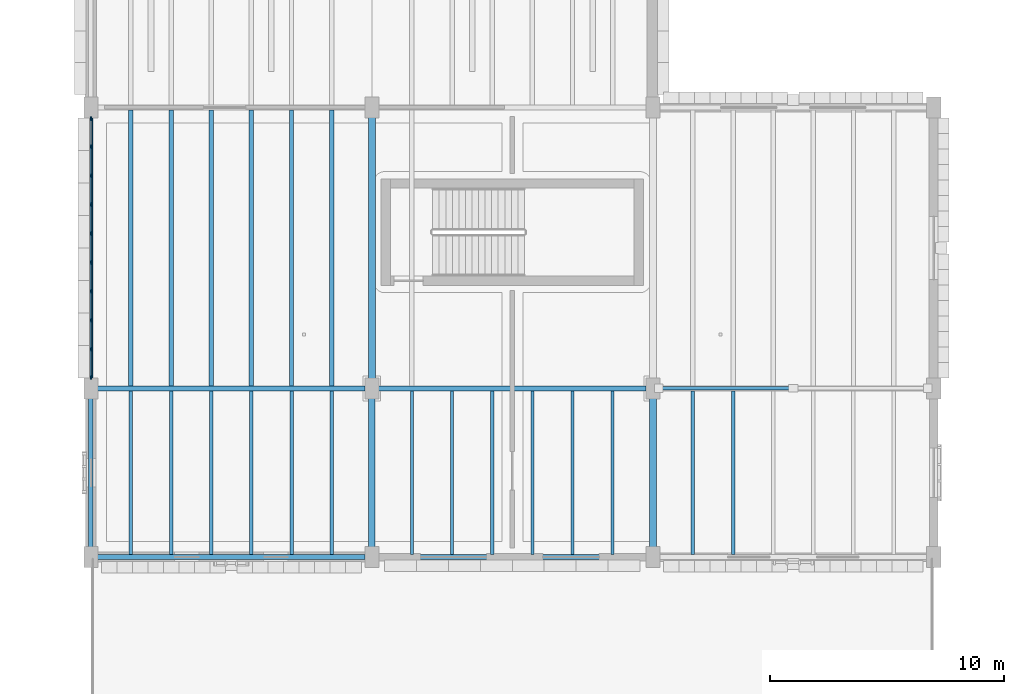
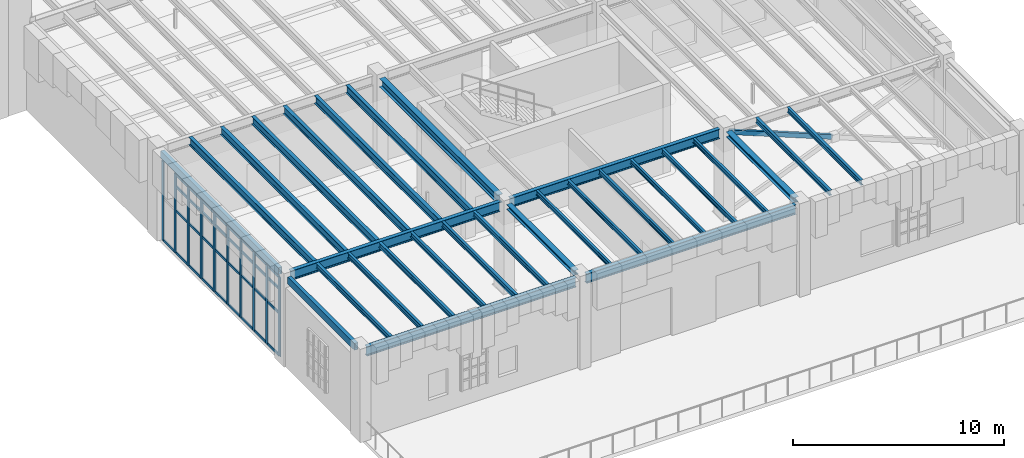
# One storey, part 14 of 103: 44 members, 29 beams, 1 element without a shape of its own.
"""IFC4 building model written with IfcOpenShell, lengths in metres."""

from ifc_helpers import new_model, si_unit, direction, frame, origin, origin_2d, place, context, subcontext, project, spatial, rectangle, hollow_rectangle, i_section, extrude, material, layer, layer_set, material_profile, profile_set, type_object, element, aggregate, save


model = new_model("IFC4")

# Units and contexts
model_context = context("Model", 3, precision=1e-05, world=origin(), true_north=direction((0.0, 1.0)))
body_context = subcontext(model_context, "Body", "Model", "MODEL_VIEW")
ifc_project = project(units=[si_unit("LENGTHUNIT", "METRE"), si_unit("AREAUNIT", "SQUARE_METRE"), si_unit("VOLUMEUNIT", "CUBIC_METRE"), si_unit("PLANEANGLEUNIT", "RADIAN"), si_unit("MASSUNIT", "GRAM", prefix="KILO")], contexts=[model_context])

# Site, building, storey
site_placement = place(None, origin())
site = spatial("IfcSite", under=ifc_project, at=site_placement, CompositionType="ELEMENT")
building_placement = place(site_placement, origin())
building = spatial("IfcBuilding", under=site, at=building_placement, Name="Zlatogorsky Bluff Art Gallery", CompositionType="ELEMENT")
storey_placement = place(building_placement, origin())
storey = spatial("IfcBuildingStorey", under=building, at=storey_placement, Name="L00", CompositionType="ELEMENT", Elevation=0.0)

# Beams
ifc_material_1 = material(Name="Steel S355", Category="steel")
ifc_material_profile_1 = material_profile(ifc_material_1, i_section(OverallWidth=0.300048828125, OverallDepth=0.489990234375, WebThickness=0.011962890625, FlangeThickness=0.02294921875, FilletRadius=0.027099609375, at=origin_2d()), Name="HEA 500")
ifc_profile_set_1 = profile_set([ifc_material_profile_1], Name="Steel S355")
beam_type_1 = type_object("IfcBeamType", Name="Beam BM-07 HEA 500", PredefinedType="BEAM", material=ifc_profile_set_1)
beam_1_placement = place(storey_placement, frame((12.0, 14.830078125, 4.89501953125), z_axis=(0.0, 1.0, 0.0), x_axis=(-1.0, 0.0, 0.0)))
element("IfcBeam", 1, at=beam_1_placement, inside=storey, type_object=beam_type_1, Name="Primary girder BM-07 L00 B/3-4", PredefinedType="BEAM", context=body_context, shape_type="SweptSolid", body=[
    extrude(i_section(OverallWidth=0.300048828125, OverallDepth=0.489990234375, WebThickness=0.011962890625, FlangeThickness=0.02294921875, FilletRadius=0.027099609375, at=origin_2d()), origin(), (0.0, 0.0, 1.0), 11.139892578125),
])
ifc_material_profile_2 = material_profile(ifc_material_1, i_section(OverallWidth=0.300048828125, OverallDepth=0.2900390625, WebThickness=0.008544921875, FlangeThickness=0.013916015625, FilletRadius=0.027099609375, at=origin_2d()), Name="HEA 300")
ifc_profile_set_2 = profile_set([ifc_material_profile_2], Name="Steel S355")
beam_type_2 = type_object("IfcBeamType", Name="Beam BM-11 HEA 300", PredefinedType="BEAM", material=ifc_profile_set_2)
beam_2_placement = place(storey_placement, frame((24.0, 7.6298828125, 4.9951171875), z_axis=(0.0, 1.0, 0.0), x_axis=(-1.0, 0.0, 0.0)))
element("IfcBeam", 2, at=beam_2_placement, inside=storey, type_object=beam_type_2, Name="Primary girder BM-11 L00 C/2-3", PredefinedType="BEAM", context=body_context, shape_type="SweptSolid", body=[
    extrude(i_section(OverallWidth=0.300048828125, OverallDepth=0.2900390625, WebThickness=0.008544921875, FlangeThickness=0.013916015625, FilletRadius=0.027099609375, at=origin_2d()), origin(), (0.0, 0.0, 1.0), 6.340087890625),
])
ifc_material_profile_3 = material_profile(ifc_material_1, i_section(OverallWidth=0.280029296875, OverallDepth=0.27001953125, WebThickness=0.008056640625, FlangeThickness=0.012939453125, FilletRadius=0.02392578125, at=origin_2d()), Name="HEA 280")
ifc_profile_set_3 = profile_set([ifc_material_profile_3], Name="Steel S355")
beam_type_3 = type_object("IfcBeamType", Name="Beam BM-12 HEA 280", PredefinedType="BEAM", material=ifc_profile_set_3)
beam_3_placement = place(storey_placement, frame((12.0, 7.6298828125, 5.0048828125), z_axis=(0.0, 1.0, 0.0), x_axis=(-1.0, 0.0, 0.0)))
element("IfcBeam", 3, at=beam_3_placement, inside=storey, type_object=beam_type_3, Name="Primary girder BM-12 L00 B/2-3", PredefinedType="BEAM", context=body_context, shape_type="SweptSolid", body=[
    extrude(i_section(OverallWidth=0.280029296875, OverallDepth=0.27001953125, WebThickness=0.008056640625, FlangeThickness=0.012939453125, FilletRadius=0.02392578125, at=origin_2d()), origin(), (0.0, 0.0, 1.0), 6.340087890625),
])
ifc_material_profile_4 = material_profile(ifc_material_1, i_section(OverallWidth=0.2099609375, OverallDepth=0.550048828125, WebThickness=0.010986328125, FlangeThickness=0.01708984375, FilletRadius=0.02392578125, at=origin_2d()), Name="IPE 550")
ifc_profile_set_4 = profile_set([ifc_material_profile_4], Name="Steel S355")
beam_type_4 = type_object("IfcBeamType", Name="Beam BM-14 IPE 550", PredefinedType="BEAM", material=ifc_profile_set_4)
for number, where, z_axis, x_axis, name in (
    (4, (0.280029296875, 7.199951171875, 4.864990234375), (1.0, 0.0, 0.0), (0.0, 1.0, 0.0), "Primary girder BM-14 L00 A-B/2"),
    (5, (0.280029296875, 14.39990234375, 4.864990234375), (1.0, 0.0, 0.0), (0.0, 1.0, 0.0), "Primary girder BM-14 L00 A-B/3"),
    (6, (12.280029296875, 7.199951171875, 4.864990234375), (1.0, 0.0, 0.0), (0.0, 1.0, 0.0), "Primary girder BM-14 L00 B-C/2"),
    (7, (12.280029296875, 14.39990234375, 4.864990234375), (1.0, 0.0, 0.0), (0.0, 1.0, 0.0), "Primary girder BM-14 L00 B-C/3"),
):
    element("IfcBeam", number, at=place(storey_placement, frame(where, z_axis=z_axis, x_axis=x_axis)), inside=storey, type_object=beam_type_4, Name=name, PredefinedType="BEAM", context=body_context, shape_type="SweptSolid", body=[
        extrude(i_section(OverallWidth=0.2099609375, OverallDepth=0.550048828125, WebThickness=0.010986328125, FlangeThickness=0.01708984375, FilletRadius=0.02392578125, at=origin_2d()), origin(), (0.0, 0.0, 1.0), 11.43994140625),
    ])
ifc_material_profile_5 = material_profile(ifc_material_1, i_section(OverallWidth=0.135009765625, OverallDepth=0.27001953125, WebThickness=0.006591796875, FlangeThickness=0.01025390625, FilletRadius=0.014892578125, at=origin_2d()), Name="IPE 270")
ifc_profile_set_5 = profile_set([ifc_material_profile_5], Name="Steel S355")
beam_type_5 = type_object("IfcBeamType", Name="Beam JS-01 IPE 270", PredefinedType="JOIST", material=ifc_profile_set_5)
for number, where, z_axis, x_axis, name in (
    (8, (13.71435546875, 7.304931640625, 5.0048828125), (0.0, 1.0, 0.0), (-1.0, 0.0, 0.0), "Composite floor joist JS-01 L00 01.01.1"),
    (9, (15.428466796875, 7.304931640625, 5.0048828125), (0.0, 1.0, 0.0), (-1.0, 0.0, 0.0), "Composite floor joist JS-01 L00 01.01.2"),
    (10, (17.142822265625, 7.304931640625, 5.0048828125), (0.0, 1.0, 0.0), (-1.0, 0.0, 0.0), "Composite floor joist JS-01 L00 01.01.3"),
    (11, (18.857177734375, 7.304931640625, 5.0048828125), (0.0, 1.0, 0.0), (-1.0, 0.0, 0.0), "Composite floor joist JS-01 L00 01.01.4"),
    (12, (20.571533203125, 7.304931640625, 5.0048828125), (0.0, 1.0, 0.0), (-1.0, 0.0, 0.0), "Composite floor joist JS-01 L00 01.01.5"),
    (13, (22.28564453125, 7.304931640625, 5.0048828125), (0.0, 1.0, 0.0), (-1.0, 0.0, 0.0), "Composite floor joist JS-01 L00 01.01.6"),
):
    element("IfcBeam", number, at=place(storey_placement, frame(where, z_axis=z_axis, x_axis=x_axis)), inside=storey, type_object=beam_type_5, Name=name, PredefinedType="JOIST", context=body_context, shape_type="SweptSolid", body=[
        extrude(i_section(OverallWidth=0.135009765625, OverallDepth=0.27001953125, WebThickness=0.006591796875, FlangeThickness=0.01025390625, FilletRadius=0.014892578125, at=origin_2d()), origin(), (0.0, 0.0, 1.0), 6.989990234375),
    ])
ifc_material_profile_6 = material_profile(ifc_material_1, i_section(OverallWidth=0.14990234375, OverallDepth=0.300048828125, WebThickness=0.007080078125, FlangeThickness=0.0107421875, FilletRadius=0.014892578125, at=origin_2d()), Name="IPE 300")
ifc_profile_set_6 = profile_set([ifc_material_profile_6], Name="Steel S355")
beam_type_6 = type_object("IfcBeamType", Name="Beam JS-02 IPE 300", PredefinedType="JOIST", material=ifc_profile_set_6)
for number, where, z_axis, x_axis, name in (
    (14, (1.71435546875, 7.304931640625, 4.989990234375), (0.0, 1.0, 0.0), (-1.0, 0.0, 0.0), "Composite floor joist JS-02 L00 00.01.1"),
    (15, (3.428466796875, 7.304931640625, 4.989990234375), (0.0, 1.0, 0.0), (-1.0, 0.0, 0.0), "Composite floor joist JS-02 L00 00.01.2"),
    (16, (5.142822265625, 7.304931640625, 4.989990234375), (0.0, 1.0, 0.0), (-1.0, 0.0, 0.0), "Composite floor joist JS-02 L00 00.01.3"),
    (17, (6.857177734375, 7.304931640625, 4.989990234375), (0.0, 1.0, 0.0), (-1.0, 0.0, 0.0), "Composite floor joist JS-02 L00 00.01.4"),
    (18, (8.571533203125, 7.304931640625, 4.989990234375), (0.0, 1.0, 0.0), (-1.0, 0.0, 0.0), "Composite floor joist JS-02 L00 00.01.5"),
    (19, (10.28564453125, 7.304931640625, 4.989990234375), (0.0, 1.0, 0.0), (-1.0, 0.0, 0.0), "Composite floor joist JS-02 L00 00.01.6"),
    (20, (25.71435546875, 7.304931640625, 4.989990234375), (0.0, 1.0, 0.0), (-1.0, 0.0, 0.0), "Composite floor joist JS-02 L00 02.01.1"),
    (21, (27.428466796875, 7.304931640625, 4.989990234375), (0.0, 1.0, 0.0), (-1.0, 0.0, 0.0), "Composite floor joist JS-02 L00 02.01.2"),
):
    element("IfcBeam", number, at=place(storey_placement, frame(where, z_axis=z_axis, x_axis=x_axis)), inside=storey, type_object=beam_type_6, Name=name, PredefinedType="JOIST", context=body_context, shape_type="SweptSolid", body=[
        extrude(i_section(OverallWidth=0.14990234375, OverallDepth=0.300048828125, WebThickness=0.007080078125, FlangeThickness=0.0107421875, FilletRadius=0.014892578125, at=origin_2d()), origin(), (0.0, 0.0, 1.0), 6.989990234375),
    ])
ifc_material_profile_7 = material_profile(ifc_material_1, i_section(OverallWidth=0.18994140625, OverallDepth=0.449951171875, WebThickness=0.009521484375, FlangeThickness=0.0146484375, FilletRadius=0.02099609375, at=origin_2d()), Name="IPE 450")
ifc_profile_set_7 = profile_set([ifc_material_profile_7], Name="Steel S355")
beam_type_7 = type_object("IfcBeamType", Name="Beam JS-06 IPE 450", PredefinedType="JOIST", material=ifc_profile_set_7)
for number, where, z_axis, x_axis, name in (
    (22, (1.71435546875, 14.5048828125, 4.9150390625), (0.0, 1.0, 0.0), (-1.0, 0.0, 0.0), "Composite floor joist JS-06 L00 00.02.1"),
    (23, (3.428466796875, 14.5048828125, 4.9150390625), (0.0, 1.0, 0.0), (-1.0, 0.0, 0.0), "Composite floor joist JS-06 L00 00.02.2"),
    (24, (5.142822265625, 14.5048828125, 4.9150390625), (0.0, 1.0, 0.0), (-1.0, 0.0, 0.0), "Composite floor joist JS-06 L00 00.02.3"),
    (25, (6.857177734375, 14.5048828125, 4.9150390625), (0.0, 1.0, 0.0), (-1.0, 0.0, 0.0), "Composite floor joist JS-06 L00 00.02.4"),
    (26, (8.571533203125, 14.5048828125, 4.9150390625), (0.0, 1.0, 0.0), (-1.0, 0.0, 0.0), "Composite floor joist JS-06 L00 00.02.5"),
    (27, (10.28564453125, 14.5048828125, 4.9150390625), (0.0, 1.0, 0.0), (-1.0, 0.0, 0.0), "Composite floor joist JS-06 L00 00.02.6"),
):
    element("IfcBeam", number, at=place(storey_placement, frame(where, z_axis=z_axis, x_axis=x_axis)), inside=storey, type_object=beam_type_7, Name=name, PredefinedType="JOIST", context=body_context, shape_type="SweptSolid", body=[
        extrude(i_section(OverallWidth=0.18994140625, OverallDepth=0.449951171875, WebThickness=0.009521484375, FlangeThickness=0.0146484375, FilletRadius=0.02099609375, at=origin_2d()), origin(), (0.0, 0.0, 1.0), 11.7900390625),
    ])
ifc_material_profile_8 = material_profile(ifc_material_1, hollow_rectangle(XDim=0.199951171875, YDim=0.39990234375, WallThickness=0.01611328125, at=origin_2d()), Name="RHS 400x200x16")
ifc_profile_set_8 = profile_set([ifc_material_profile_8], Name="Steel S355")
beam_type_8 = type_object("IfcBeamType", Name="Beam SP-02 RHS 400x200x16", PredefinedType="SPANDREL", material=ifc_profile_set_8)
beam_4_placement = place(storey_placement, frame((0.0, 7.6298828125, 4.93994140625), z_axis=(0.0, 1.0, 0.0), x_axis=(-1.0, 0.0, 0.0)))
element("IfcBeam", 28, at=beam_4_placement, inside=storey, type_object=beam_type_8, Name="Primary girder SP-02 L00 A/2-3", PredefinedType="SPANDREL", context=body_context, shape_type="SweptSolid", body=[
    extrude(hollow_rectangle(XDim=0.199951171875, YDim=0.39990234375, WallThickness=0.01611328125, at=origin_2d()), origin(), (0.0, 0.0, 1.0), 6.340087890625),
])
beam_5_placement = place(storey_placement, frame((0.0, 14.830078125, 4.93994140625), z_axis=(0.0, 1.0, 0.0), x_axis=(-1.0, 0.0, 0.0)))
element("IfcBeam", 29, at=beam_5_placement, inside=storey, type_object=beam_type_8, Name="Primary girder SP-02 L00 A/3-4", PredefinedType="SPANDREL", context=body_context, shape_type="SweptSolid", body=[
    extrude(hollow_rectangle(XDim=0.199951171875, YDim=0.39990234375, WallThickness=0.01611328125, at=origin_2d()), origin(), (0.0, 0.0, 1.0), 11.139892578125),
])

# Curtain wall, members
ifc_material_2 = material(Name="Anodised Bronze Aluminium and Low-Iron Triple Glazing", Category="aluminium")
ifc_layer = layer(ifc_material_2, 0.179931640625)
ifc_layer_set = layer_set([ifc_layer], Name="Curtain Wall CW-03")
curtain_wall_type = type_object("IfcCurtainWallType", Name="Curtain Wall CW-03", PredefinedType="USERDEFINED", material=ifc_layer_set)
curtain_wall_placement = place(storey_placement, origin())
curtain_wall = element("IfcCurtainWall", 30, at=curtain_wall_placement, inside=storey, type_object=curtain_wall_type, Name="Unitised curtain wall CW-03 L00 W 0.2", ObjectType="CURTAIN WALL", PredefinedType="USERDEFINED")
ifc_material_3 = material(Name="Anodised Bronze Aluminium", Category="aluminium")
ifc_material_profile_9 = material_profile(ifc_material_3, rectangle(XDim=0.06494140625, YDim=0.179931640625, at=origin_2d()), Name="ALU MULLION 65x180")
ifc_profile_set_9 = profile_set([ifc_material_profile_9], Name="Anodised Bronze Aluminium")
member_type_1 = type_object("IfcMemberType", Name="Curtain Mullion ML-01", PredefinedType="MULLION", material=ifc_profile_set_9)
member_1_placement = place(storey_placement, frame((0.0, 25.922607421875, 0.0), z_axis=(0.0, 0.0, 1.0), x_axis=(1.0, 0.0, 0.0)))
member_1 = element("IfcMember", 31, at=member_1_placement, type_object=member_type_1, Name="CW-03 mullion 1", PredefinedType="MULLION", context=body_context, shape_type="SweptSolid", body=[
    extrude(rectangle(XDim=0.06494140625, YDim=0.179931640625, at=origin_2d()), origin(), (0.0, 0.0, 1.0), 4.56005859375),
])
member_2_placement = place(storey_placement, frame((0.0, 24.720458984375, 0.0), z_axis=(0.0, 0.0, 1.0), x_axis=(1.0, 0.0, 0.0)))
member_2 = element("IfcMember", 32, at=member_2_placement, type_object=member_type_1, Name="CW-03 mullion 2", PredefinedType="MULLION", context=body_context, shape_type="SweptSolid", body=[
    extrude(rectangle(XDim=0.06494140625, YDim=0.179931640625, at=origin_2d()), origin(), (0.0, 0.0, 1.0), 4.56005859375),
])
member_3_placement = place(storey_placement, frame((0.0, 23.486083984375, 0.0), z_axis=(0.0, 0.0, 1.0), x_axis=(1.0, 0.0, 0.0)))
member_3 = element("IfcMember", 33, at=member_3_placement, type_object=member_type_1, Name="CW-03 mullion 3", PredefinedType="MULLION", context=body_context, shape_type="SweptSolid", body=[
    extrude(rectangle(XDim=0.06494140625, YDim=0.179931640625, at=origin_2d()), origin(), (0.0, 0.0, 1.0), 4.56005859375),
])
member_4_placement = place(storey_placement, frame((0.0, 22.251708984375, 0.0), z_axis=(0.0, 0.0, 1.0), x_axis=(1.0, 0.0, 0.0)))
member_4 = element("IfcMember", 34, at=member_4_placement, type_object=member_type_1, Name="CW-03 mullion 4", PredefinedType="MULLION", context=body_context, shape_type="SweptSolid", body=[
    extrude(rectangle(XDim=0.06494140625, YDim=0.179931640625, at=origin_2d()), origin(), (0.0, 0.0, 1.0), 4.56005859375),
])
member_5_placement = place(storey_placement, frame((0.0, 21.017333984375, 0.0), z_axis=(0.0, 0.0, 1.0), x_axis=(1.0, 0.0, 0.0)))
member_5 = element("IfcMember", 35, at=member_5_placement, type_object=member_type_1, Name="CW-03 mullion 5", PredefinedType="MULLION", context=body_context, shape_type="SweptSolid", body=[
    extrude(rectangle(XDim=0.06494140625, YDim=0.179931640625, at=origin_2d()), origin(), (0.0, 0.0, 1.0), 4.56005859375),
])
member_6_placement = place(storey_placement, frame((0.0, 19.78271484375, 0.0), z_axis=(0.0, 0.0, 1.0), x_axis=(1.0, 0.0, 0.0)))
member_6 = element("IfcMember", 36, at=member_6_placement, type_object=member_type_1, Name="CW-03 mullion 6", PredefinedType="MULLION", context=body_context, shape_type="SweptSolid", body=[
    extrude(rectangle(XDim=0.06494140625, YDim=0.179931640625, at=origin_2d()), origin(), (0.0, 0.0, 1.0), 4.56005859375),
])
member_7_placement = place(storey_placement, frame((0.0, 18.54833984375, 0.0), z_axis=(0.0, 0.0, 1.0), x_axis=(1.0, 0.0, 0.0)))
member_7 = element("IfcMember", 37, at=member_7_placement, type_object=member_type_1, Name="CW-03 mullion 7", PredefinedType="MULLION", context=body_context, shape_type="SweptSolid", body=[
    extrude(rectangle(XDim=0.06494140625, YDim=0.179931640625, at=origin_2d()), origin(), (0.0, 0.0, 1.0), 4.56005859375),
])
member_8_placement = place(storey_placement, frame((0.0, 17.31396484375, 0.0), z_axis=(0.0, 0.0, 1.0), x_axis=(1.0, 0.0, 0.0)))
member_8 = element("IfcMember", 38, at=member_8_placement, type_object=member_type_1, Name="CW-03 mullion 8", PredefinedType="MULLION", context=body_context, shape_type="SweptSolid", body=[
    extrude(rectangle(XDim=0.06494140625, YDim=0.179931640625, at=origin_2d()), origin(), (0.0, 0.0, 1.0), 4.56005859375),
])
member_9_placement = place(storey_placement, frame((0.0, 16.079345703125, 0.0), z_axis=(0.0, 0.0, 1.0), x_axis=(1.0, 0.0, 0.0)))
member_9 = element("IfcMember", 39, at=member_9_placement, type_object=member_type_1, Name="CW-03 mullion 9", PredefinedType="MULLION", context=body_context, shape_type="SweptSolid", body=[
    extrude(rectangle(XDim=0.06494140625, YDim=0.179931640625, at=origin_2d()), origin(), (0.0, 0.0, 1.0), 4.56005859375),
])
member_10_placement = place(storey_placement, frame((0.0, 14.87744140625, 0.0), z_axis=(0.0, 0.0, 1.0), x_axis=(1.0, 0.0, 0.0)))
member_10 = element("IfcMember", 40, at=member_10_placement, type_object=member_type_1, Name="CW-03 mullion 10", PredefinedType="MULLION", context=body_context, shape_type="SweptSolid", body=[
    extrude(rectangle(XDim=0.06494140625, YDim=0.179931640625, at=origin_2d()), origin(), (0.0, 0.0, 1.0), 4.56005859375),
])
ifc_material_profile_10 = material_profile(ifc_material_3, rectangle(XDim=0.06494140625, YDim=0.139892578125, at=origin_2d()), Name="ALU TRANSOM 65x140")
ifc_profile_set_10 = profile_set([ifc_material_profile_10], Name="Anodised Bronze Aluminium")
member_type_2 = type_object("IfcMemberType", Name="Curtain Transom TR-01", PredefinedType="USERDEFINED", material=ifc_profile_set_10)
member_11_placement = place(storey_placement, frame((0.0, 25.889892578125, 0.032470703125), z_axis=(0.0, -1.0, 0.0), x_axis=(1.0, 0.0, 0.0)))
member_11 = element("IfcMember", 41, at=member_11_placement, type_object=member_type_2, Name="CW-03 transom 1.1", ObjectType="TRANSOM", PredefinedType="USERDEFINED", context=body_context, shape_type="SweptSolid", body=[
    extrude(rectangle(XDim=0.06494140625, YDim=0.139892578125, at=origin_2d()), origin(), (0.0, 0.0, 1.0), 1.13671875),
])
member_12_placement = place(storey_placement, frame((0.0, 24.68798828125, 0.032470703125), z_axis=(0.0, -1.0, 0.0), x_axis=(1.0, 0.0, 0.0)))
member_12 = element("IfcMember", 42, at=member_12_placement, type_object=member_type_2, Name="CW-03 transom 2.1", ObjectType="TRANSOM", PredefinedType="USERDEFINED", context=body_context, shape_type="SweptSolid", body=[
    extrude(rectangle(XDim=0.06494140625, YDim=0.139892578125, at=origin_2d()), origin(), (0.0, 0.0, 1.0), 1.16943359375),
])
member_13_placement = place(storey_placement, frame((0.0, 24.68798828125, 2.449951171875), z_axis=(0.0, -1.0, 0.0), x_axis=(1.0, 0.0, 0.0)))
member_13 = element("IfcMember", 43, at=member_13_placement, type_object=member_type_2, Name="CW-03 transom 2.2", ObjectType="TRANSOM", PredefinedType="USERDEFINED", context=body_context, shape_type="SweptSolid", body=[
    extrude(rectangle(XDim=0.06494140625, YDim=0.139892578125, at=origin_2d()), origin(), (0.0, 0.0, 1.0), 1.16943359375),
])
member_14_placement = place(storey_placement, frame((0.0, 24.68798828125, 3.85009765625), z_axis=(0.0, -1.0, 0.0), x_axis=(1.0, 0.0, 0.0)))
member_14 = element("IfcMember", 44, at=member_14_placement, type_object=member_type_2, Name="CW-03 transom 2.3", ObjectType="TRANSOM", PredefinedType="USERDEFINED", context=body_context, shape_type="SweptSolid", body=[
    extrude(rectangle(XDim=0.06494140625, YDim=0.139892578125, at=origin_2d()), origin(), (0.0, 0.0, 1.0), 1.16943359375),
])
member_15_placement = place(storey_placement, frame((0.0, 24.68798828125, 4.527587890625), z_axis=(0.0, -1.0, 0.0), x_axis=(1.0, 0.0, 0.0)))
member_15 = element("IfcMember", 45, at=member_15_placement, type_object=member_type_2, Name="CW-03 transom 2.4", ObjectType="TRANSOM", PredefinedType="USERDEFINED", context=body_context, shape_type="SweptSolid", body=[
    extrude(rectangle(XDim=0.06494140625, YDim=0.139892578125, at=origin_2d()), origin(), (0.0, 0.0, 1.0), 1.16943359375),
])
member_16_placement = place(storey_placement, frame((0.0, 23.45361328125, 0.032470703125), z_axis=(0.0, -1.0, 0.0), x_axis=(1.0, 0.0, 0.0)))
member_16 = element("IfcMember", 46, at=member_16_placement, type_object=member_type_2, Name="CW-03 transom 3.1", ObjectType="TRANSOM", PredefinedType="USERDEFINED", context=body_context, shape_type="SweptSolid", body=[
    extrude(rectangle(XDim=0.06494140625, YDim=0.139892578125, at=origin_2d()), origin(), (0.0, 0.0, 1.0), 1.16943359375),
])
member_17_placement = place(storey_placement, frame((0.0, 23.45361328125, 2.449951171875), z_axis=(0.0, -1.0, 0.0), x_axis=(1.0, 0.0, 0.0)))
member_17 = element("IfcMember", 47, at=member_17_placement, type_object=member_type_2, Name="CW-03 transom 3.2", ObjectType="TRANSOM", PredefinedType="USERDEFINED", context=body_context, shape_type="SweptSolid", body=[
    extrude(rectangle(XDim=0.06494140625, YDim=0.139892578125, at=origin_2d()), origin(), (0.0, 0.0, 1.0), 1.16943359375),
])
member_18_placement = place(storey_placement, frame((0.0, 23.45361328125, 3.85009765625), z_axis=(0.0, -1.0, 0.0), x_axis=(1.0, 0.0, 0.0)))
member_18 = element("IfcMember", 48, at=member_18_placement, type_object=member_type_2, Name="CW-03 transom 3.3", ObjectType="TRANSOM", PredefinedType="USERDEFINED", context=body_context, shape_type="SweptSolid", body=[
    extrude(rectangle(XDim=0.06494140625, YDim=0.139892578125, at=origin_2d()), origin(), (0.0, 0.0, 1.0), 1.16943359375),
])
member_19_placement = place(storey_placement, frame((0.0, 23.45361328125, 4.527587890625), z_axis=(0.0, -1.0, 0.0), x_axis=(1.0, 0.0, 0.0)))
member_19 = element("IfcMember", 49, at=member_19_placement, type_object=member_type_2, Name="CW-03 transom 3.4", ObjectType="TRANSOM", PredefinedType="USERDEFINED", context=body_context, shape_type="SweptSolid", body=[
    extrude(rectangle(XDim=0.06494140625, YDim=0.139892578125, at=origin_2d()), origin(), (0.0, 0.0, 1.0), 1.16943359375),
])
member_20_placement = place(storey_placement, frame((0.0, 22.21923828125, 0.032470703125), z_axis=(0.0, -1.0, 0.0), x_axis=(1.0, 0.0, 0.0)))
member_20 = element("IfcMember", 50, at=member_20_placement, type_object=member_type_2, Name="CW-03 transom 4.1", ObjectType="TRANSOM", PredefinedType="USERDEFINED", context=body_context, shape_type="SweptSolid", body=[
    extrude(rectangle(XDim=0.06494140625, YDim=0.139892578125, at=origin_2d()), origin(), (0.0, 0.0, 1.0), 1.16943359375),
])
member_21_placement = place(storey_placement, frame((0.0, 22.21923828125, 2.449951171875), z_axis=(0.0, -1.0, 0.0), x_axis=(1.0, 0.0, 0.0)))
member_21 = element("IfcMember", 51, at=member_21_placement, type_object=member_type_2, Name="CW-03 transom 4.2", ObjectType="TRANSOM", PredefinedType="USERDEFINED", context=body_context, shape_type="SweptSolid", body=[
    extrude(rectangle(XDim=0.06494140625, YDim=0.139892578125, at=origin_2d()), origin(), (0.0, 0.0, 1.0), 1.16943359375),
])
member_22_placement = place(storey_placement, frame((0.0, 22.21923828125, 3.85009765625), z_axis=(0.0, -1.0, 0.0), x_axis=(1.0, 0.0, 0.0)))
member_22 = element("IfcMember", 52, at=member_22_placement, type_object=member_type_2, Name="CW-03 transom 4.3", ObjectType="TRANSOM", PredefinedType="USERDEFINED", context=body_context, shape_type="SweptSolid", body=[
    extrude(rectangle(XDim=0.06494140625, YDim=0.139892578125, at=origin_2d()), origin(), (0.0, 0.0, 1.0), 1.16943359375),
])
member_23_placement = place(storey_placement, frame((0.0, 22.21923828125, 4.527587890625), z_axis=(0.0, -1.0, 0.0), x_axis=(1.0, 0.0, 0.0)))
member_23 = element("IfcMember", 53, at=member_23_placement, type_object=member_type_2, Name="CW-03 transom 4.4", ObjectType="TRANSOM", PredefinedType="USERDEFINED", context=body_context, shape_type="SweptSolid", body=[
    extrude(rectangle(XDim=0.06494140625, YDim=0.139892578125, at=origin_2d()), origin(), (0.0, 0.0, 1.0), 1.16943359375),
])
member_24_placement = place(storey_placement, frame((0.0, 20.984619140625, 0.032470703125), z_axis=(0.0, -1.0, 0.0), x_axis=(1.0, 0.0, 0.0)))
member_24 = element("IfcMember", 54, at=member_24_placement, type_object=member_type_2, Name="CW-03 transom 5.1", ObjectType="TRANSOM", PredefinedType="USERDEFINED", context=body_context, shape_type="SweptSolid", body=[
    extrude(rectangle(XDim=0.06494140625, YDim=0.139892578125, at=origin_2d()), origin(), (0.0, 0.0, 1.0), 1.16943359375),
])
member_25_placement = place(storey_placement, frame((0.0, 20.984619140625, 2.449951171875), z_axis=(0.0, -1.0, 0.0), x_axis=(1.0, 0.0, 0.0)))
member_25 = element("IfcMember", 55, at=member_25_placement, type_object=member_type_2, Name="CW-03 transom 5.2", ObjectType="TRANSOM", PredefinedType="USERDEFINED", context=body_context, shape_type="SweptSolid", body=[
    extrude(rectangle(XDim=0.06494140625, YDim=0.139892578125, at=origin_2d()), origin(), (0.0, 0.0, 1.0), 1.16943359375),
])
member_26_placement = place(storey_placement, frame((0.0, 20.984619140625, 3.85009765625), z_axis=(0.0, -1.0, 0.0), x_axis=(1.0, 0.0, 0.0)))
member_26 = element("IfcMember", 56, at=member_26_placement, type_object=member_type_2, Name="CW-03 transom 5.3", ObjectType="TRANSOM", PredefinedType="USERDEFINED", context=body_context, shape_type="SweptSolid", body=[
    extrude(rectangle(XDim=0.06494140625, YDim=0.139892578125, at=origin_2d()), origin(), (0.0, 0.0, 1.0), 1.16943359375),
])
member_27_placement = place(storey_placement, frame((0.0, 20.984619140625, 4.527587890625), z_axis=(0.0, -1.0, 0.0), x_axis=(1.0, 0.0, 0.0)))
member_27 = element("IfcMember", 57, at=member_27_placement, type_object=member_type_2, Name="CW-03 transom 5.4", ObjectType="TRANSOM", PredefinedType="USERDEFINED", context=body_context, shape_type="SweptSolid", body=[
    extrude(rectangle(XDim=0.06494140625, YDim=0.139892578125, at=origin_2d()), origin(), (0.0, 0.0, 1.0), 1.16943359375),
])
member_28_placement = place(storey_placement, frame((0.0, 19.750244140625, 0.032470703125), z_axis=(0.0, -1.0, 0.0), x_axis=(1.0, 0.0, 0.0)))
member_28 = element("IfcMember", 58, at=member_28_placement, type_object=member_type_2, Name="CW-03 transom 6.1", ObjectType="TRANSOM", PredefinedType="USERDEFINED", context=body_context, shape_type="SweptSolid", body=[
    extrude(rectangle(XDim=0.06494140625, YDim=0.139892578125, at=origin_2d()), origin(), (0.0, 0.0, 1.0), 1.16943359375),
])
member_29_placement = place(storey_placement, frame((0.0, 19.750244140625, 2.449951171875), z_axis=(0.0, -1.0, 0.0), x_axis=(1.0, 0.0, 0.0)))
member_29 = element("IfcMember", 59, at=member_29_placement, type_object=member_type_2, Name="CW-03 transom 6.2", ObjectType="TRANSOM", PredefinedType="USERDEFINED", context=body_context, shape_type="SweptSolid", body=[
    extrude(rectangle(XDim=0.06494140625, YDim=0.139892578125, at=origin_2d()), origin(), (0.0, 0.0, 1.0), 1.16943359375),
])
member_30_placement = place(storey_placement, frame((0.0, 19.750244140625, 3.85009765625), z_axis=(0.0, -1.0, 0.0), x_axis=(1.0, 0.0, 0.0)))
member_30 = element("IfcMember", 60, at=member_30_placement, type_object=member_type_2, Name="CW-03 transom 6.3", ObjectType="TRANSOM", PredefinedType="USERDEFINED", context=body_context, shape_type="SweptSolid", body=[
    extrude(rectangle(XDim=0.06494140625, YDim=0.139892578125, at=origin_2d()), origin(), (0.0, 0.0, 1.0), 1.16943359375),
])
member_31_placement = place(storey_placement, frame((0.0, 19.750244140625, 4.527587890625), z_axis=(0.0, -1.0, 0.0), x_axis=(1.0, 0.0, 0.0)))
member_31 = element("IfcMember", 61, at=member_31_placement, type_object=member_type_2, Name="CW-03 transom 6.4", ObjectType="TRANSOM", PredefinedType="USERDEFINED", context=body_context, shape_type="SweptSolid", body=[
    extrude(rectangle(XDim=0.06494140625, YDim=0.139892578125, at=origin_2d()), origin(), (0.0, 0.0, 1.0), 1.16943359375),
])
member_32_placement = place(storey_placement, frame((0.0, 18.515869140625, 0.032470703125), z_axis=(0.0, -1.0, 0.0), x_axis=(1.0, 0.0, 0.0)))
member_32 = element("IfcMember", 62, at=member_32_placement, type_object=member_type_2, Name="CW-03 transom 7.1", ObjectType="TRANSOM", PredefinedType="USERDEFINED", context=body_context, shape_type="SweptSolid", body=[
    extrude(rectangle(XDim=0.06494140625, YDim=0.139892578125, at=origin_2d()), origin(), (0.0, 0.0, 1.0), 1.16943359375),
])
member_33_placement = place(storey_placement, frame((0.0, 18.515869140625, 2.449951171875), z_axis=(0.0, -1.0, 0.0), x_axis=(1.0, 0.0, 0.0)))
member_33 = element("IfcMember", 63, at=member_33_placement, type_object=member_type_2, Name="CW-03 transom 7.2", ObjectType="TRANSOM", PredefinedType="USERDEFINED", context=body_context, shape_type="SweptSolid", body=[
    extrude(rectangle(XDim=0.06494140625, YDim=0.139892578125, at=origin_2d()), origin(), (0.0, 0.0, 1.0), 1.16943359375),
])
member_34_placement = place(storey_placement, frame((0.0, 18.515869140625, 3.85009765625), z_axis=(0.0, -1.0, 0.0), x_axis=(1.0, 0.0, 0.0)))
member_34 = element("IfcMember", 64, at=member_34_placement, type_object=member_type_2, Name="CW-03 transom 7.3", ObjectType="TRANSOM", PredefinedType="USERDEFINED", context=body_context, shape_type="SweptSolid", body=[
    extrude(rectangle(XDim=0.06494140625, YDim=0.139892578125, at=origin_2d()), origin(), (0.0, 0.0, 1.0), 1.16943359375),
])
member_35_placement = place(storey_placement, frame((0.0, 18.515869140625, 4.527587890625), z_axis=(0.0, -1.0, 0.0), x_axis=(1.0, 0.0, 0.0)))
member_35 = element("IfcMember", 65, at=member_35_placement, type_object=member_type_2, Name="CW-03 transom 7.4", ObjectType="TRANSOM", PredefinedType="USERDEFINED", context=body_context, shape_type="SweptSolid", body=[
    extrude(rectangle(XDim=0.06494140625, YDim=0.139892578125, at=origin_2d()), origin(), (0.0, 0.0, 1.0), 1.16943359375),
])
member_36_placement = place(storey_placement, frame((0.0, 17.281494140625, 0.032470703125), z_axis=(0.0, -1.0, 0.0), x_axis=(1.0, 0.0, 0.0)))
member_36 = element("IfcMember", 66, at=member_36_placement, type_object=member_type_2, Name="CW-03 transom 8.1", ObjectType="TRANSOM", PredefinedType="USERDEFINED", context=body_context, shape_type="SweptSolid", body=[
    extrude(rectangle(XDim=0.06494140625, YDim=0.139892578125, at=origin_2d()), origin(), (0.0, 0.0, 1.0), 1.16943359375),
])
member_37_placement = place(storey_placement, frame((0.0, 17.281494140625, 2.449951171875), z_axis=(0.0, -1.0, 0.0), x_axis=(1.0, 0.0, 0.0)))
member_37 = element("IfcMember", 67, at=member_37_placement, type_object=member_type_2, Name="CW-03 transom 8.2", ObjectType="TRANSOM", PredefinedType="USERDEFINED", context=body_context, shape_type="SweptSolid", body=[
    extrude(rectangle(XDim=0.06494140625, YDim=0.139892578125, at=origin_2d()), origin(), (0.0, 0.0, 1.0), 1.16943359375),
])
member_38_placement = place(storey_placement, frame((0.0, 17.281494140625, 3.85009765625), z_axis=(0.0, -1.0, 0.0), x_axis=(1.0, 0.0, 0.0)))
member_38 = element("IfcMember", 68, at=member_38_placement, type_object=member_type_2, Name="CW-03 transom 8.3", ObjectType="TRANSOM", PredefinedType="USERDEFINED", context=body_context, shape_type="SweptSolid", body=[
    extrude(rectangle(XDim=0.06494140625, YDim=0.139892578125, at=origin_2d()), origin(), (0.0, 0.0, 1.0), 1.16943359375),
])
member_39_placement = place(storey_placement, frame((0.0, 17.281494140625, 4.527587890625), z_axis=(0.0, -1.0, 0.0), x_axis=(1.0, 0.0, 0.0)))
member_39 = element("IfcMember", 69, at=member_39_placement, type_object=member_type_2, Name="CW-03 transom 8.4", ObjectType="TRANSOM", PredefinedType="USERDEFINED", context=body_context, shape_type="SweptSolid", body=[
    extrude(rectangle(XDim=0.06494140625, YDim=0.139892578125, at=origin_2d()), origin(), (0.0, 0.0, 1.0), 1.16943359375),
])
member_40_placement = place(storey_placement, frame((0.0, 16.046875, 0.032470703125), z_axis=(0.0, -1.0, 0.0), x_axis=(1.0, 0.0, 0.0)))
member_40 = element("IfcMember", 70, at=member_40_placement, type_object=member_type_2, Name="CW-03 transom 9.1", ObjectType="TRANSOM", PredefinedType="USERDEFINED", context=body_context, shape_type="SweptSolid", body=[
    extrude(rectangle(XDim=0.06494140625, YDim=0.139892578125, at=origin_2d()), origin(), (0.0, 0.0, 1.0), 1.136962890625),
])
member_41_placement = place(storey_placement, frame((0.0, 16.046875, 2.449951171875), z_axis=(0.0, -1.0, 0.0), x_axis=(1.0, 0.0, 0.0)))
member_41 = element("IfcMember", 71, at=member_41_placement, type_object=member_type_2, Name="CW-03 transom 9.2", ObjectType="TRANSOM", PredefinedType="USERDEFINED", context=body_context, shape_type="SweptSolid", body=[
    extrude(rectangle(XDim=0.06494140625, YDim=0.139892578125, at=origin_2d()), origin(), (0.0, 0.0, 1.0), 1.136962890625),
])
member_42_placement = place(storey_placement, frame((0.0, 16.046875, 3.85009765625), z_axis=(0.0, -1.0, 0.0), x_axis=(1.0, 0.0, 0.0)))
member_42 = element("IfcMember", 72, at=member_42_placement, type_object=member_type_2, Name="CW-03 transom 9.3", ObjectType="TRANSOM", PredefinedType="USERDEFINED", context=body_context, shape_type="SweptSolid", body=[
    extrude(rectangle(XDim=0.06494140625, YDim=0.139892578125, at=origin_2d()), origin(), (0.0, 0.0, 1.0), 1.136962890625),
])
member_43_placement = place(storey_placement, frame((0.0, 16.046875, 4.527587890625), z_axis=(0.0, -1.0, 0.0), x_axis=(1.0, 0.0, 0.0)))
member_43 = element("IfcMember", 73, at=member_43_placement, type_object=member_type_2, Name="CW-03 transom 9.4", ObjectType="TRANSOM", PredefinedType="USERDEFINED", context=body_context, shape_type="SweptSolid", body=[
    extrude(rectangle(XDim=0.06494140625, YDim=0.139892578125, at=origin_2d()), origin(), (0.0, 0.0, 1.0), 1.136962890625),
])
aggregate(curtain_wall, [member_1, member_2, member_3, member_4, member_5, member_6, member_7, member_8, member_9, member_10, member_11, member_12, member_13, member_14, member_15, member_16, member_17, member_18, member_19, member_20, member_21, member_22, member_23, member_24, member_25, member_26, member_27, member_28, member_29, member_30, member_31, member_32, member_33, member_34, member_35, member_36, member_37, member_38, member_39, member_40, member_41, member_42, member_43])

# Member
ifc_material_profile_11 = material_profile(ifc_material_1, hollow_rectangle(XDim=0.14990234375, YDim=0.25, WallThickness=0.010009765625, at=origin_2d()), Name="RHS 250x150x10")
ifc_profile_set_11 = profile_set([ifc_material_profile_11], Name="Steel S355")
member_type_3 = type_object("IfcMemberType", Name="Member BR-03 RHS 250x150x10", PredefinedType="BRACE", material=ifc_profile_set_11)
member_44_placement = place(storey_placement, frame((24.25, 14.39990234375, 4.75), z_axis=(0.928476690885, 0.0, -0.371390676354), x_axis=(0.0, 1.0, 0.0)))
element("IfcMember", 74, at=member_44_placement, inside=storey, type_object=member_type_3, Name="Split X-brace diagonal lower L00.6B1", PredefinedType="BRACE", context=body_context, shape_type="SweptSolid", body=[
    extrude(hollow_rectangle(XDim=0.14990234375, YDim=0.25, WallThickness=0.010009765625, at=origin_2d()), origin(), (0.0, 0.0, 1.0), 6.052978515625),
])

save(model, "model.ifc")
